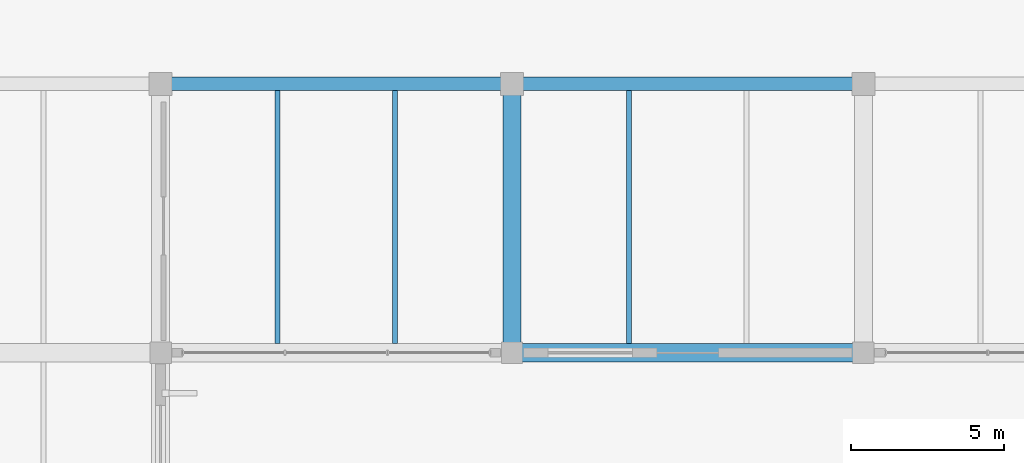
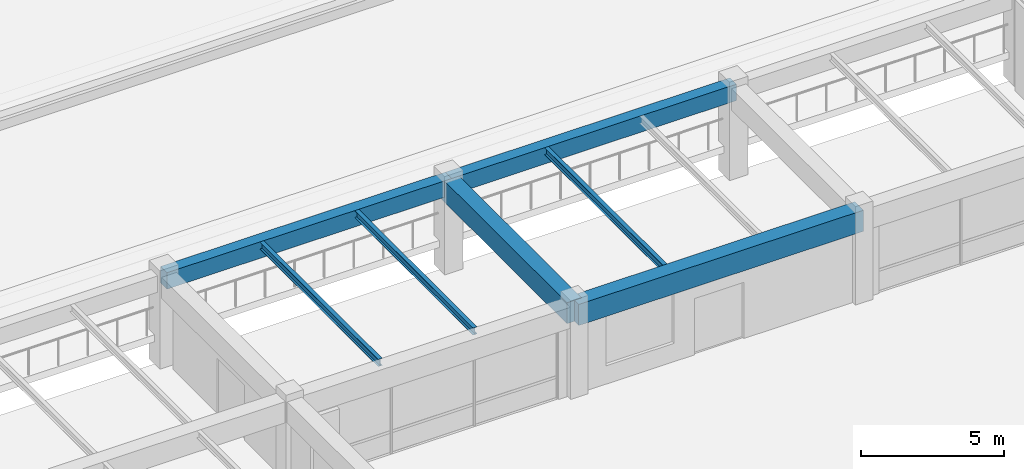
# One storey, part 7 of 109: 7 beams.
"""IFC4 building model written with IfcOpenShell, lengths in metres."""

from ifc_helpers import new_model, si_unit, direction, frame, origin, origin_2d, place, context, subcontext, project, spatial, rectangle, i_section, extrude, material, material_profile, profile_set, type_object, element, save


model = new_model("IFC4")

# Units and contexts
model_context = context("Model", 3, precision=1e-05, world=origin(), true_north=direction((0.0, 1.0)))
body_context = subcontext(model_context, "Body", "Model", "MODEL_VIEW")
ifc_project = project(units=[si_unit("LENGTHUNIT", "METRE"), si_unit("AREAUNIT", "SQUARE_METRE"), si_unit("VOLUMEUNIT", "CUBIC_METRE"), si_unit("PLANEANGLEUNIT", "RADIAN"), si_unit("MASSUNIT", "GRAM", prefix="KILO")], contexts=[model_context])

# Site, building, storey
site_placement = place(None, origin())
site = spatial("IfcSite", under=ifc_project, at=site_placement, CompositionType="ELEMENT")
building_placement = place(site_placement, origin())
building = spatial("IfcBuilding", under=site, at=building_placement, Name="Ologun Quay Terminus", CompositionType="ELEMENT")
storey_placement = place(building_placement, origin())
storey = spatial("IfcBuildingStorey", under=building, at=storey_placement, Name="L00", CompositionType="ELEMENT", Elevation=0.0)

# Beams
ifc_material_1 = material(Name="Steel S355", Category="steel")
ifc_material_profile_1 = material_profile(ifc_material_1, i_section(OverallWidth=0.1650390625, OverallDepth=0.303466796875, WebThickness=0.006103515625, FlangeThickness=0.01025390625, at=origin_2d()), Name="UKB 305x165x40")
ifc_profile_set_1 = profile_set([ifc_material_profile_1], Name="Steel S355")
beam_type_1 = type_object("IfcBeamType", Name="Mezzanine Steel Joist UKB305", PredefinedType="JOIST", material=ifc_profile_set_1)
for number, where, z_axis, x_axis, name in (
    (1, (15.333251953125, 27.5, 3.748291015625), (0.0, 1.0, 0.0), (-1.0, 0.0, 0.0), "SJ1 Beam 2/D L00"),
    (2, (19.166748046875, 27.5, 3.748291015625), (0.0, 1.0, 0.0), (-1.0, 0.0, 0.0), "SJ1 Beam 2/D L00"),
    (3, (26.833251953125, 27.5, 3.748291015625), (0.0, 1.0, 0.0), (-1.0, 0.0, 0.0), "SJ1 Beam 3/D L00"),
):
    element("IfcBeam", number, at=place(storey_placement, frame(where, z_axis=z_axis, x_axis=x_axis)), inside=storey, type_object=beam_type_1, Name=name, PredefinedType="JOIST", context=body_context, shape_type="SweptSolid", body=[
        extrude(i_section(OverallWidth=0.1650390625, OverallDepth=0.303466796875, WebThickness=0.006103515625, FlangeThickness=0.01025390625, at=origin_2d()), origin(), (0.0, 0.0, 1.0), 8.27490234375),
    ])
ifc_material_2 = material(Name="Concrete C40/50", Category="concrete")
ifc_material_profile_2 = material_profile(ifc_material_2, rectangle(XDim=0.449951171875, YDim=0.699951171875, at=origin_2d()), Name="RC 450x700")
ifc_profile_set_2 = profile_set([ifc_material_profile_2], Name="Concrete C40/50")
beam_type_2 = type_object("IfcBeamType", Name="Perimeter Spandrel Beam 450x700", PredefinedType="SPANDREL", material=ifc_profile_set_2)
for number, where, z_axis, x_axis, name in (
    (4, (11.5, 36.0, 3.550048828125), (1.0, 0.0, 0.0), (0.0, 1.0, 0.0), "SP1 Beam 2/E L00"),
    (5, (23.0, 36.0, 3.550048828125), (1.0, 0.0, 0.0), (0.0, 1.0, 0.0), "SP1 Beam 3/E L00"),
):
    element("IfcBeam", number, at=place(storey_placement, frame(where, z_axis=z_axis, x_axis=x_axis)), inside=storey, type_object=beam_type_2, Name=name, PredefinedType="SPANDREL", context=body_context, shape_type="SweptSolid", body=[
        extrude(rectangle(XDim=0.449951171875, YDim=0.699951171875, at=origin_2d()), origin(), (0.0, 0.0, 1.0), 11.5),
    ])
ifc_material_3 = material(Name="Concrete C40/50", Category="concrete")
ifc_material_profile_3 = material_profile(ifc_material_3, rectangle(XDim=0.60009765625, YDim=0.89990234375, at=origin_2d()), Name="RC 600x900")
ifc_profile_set_3 = profile_set([ifc_material_profile_3], Name="Concrete C40/50")
beam_type_3 = type_object("IfcBeamType", Name="Station Frame Girder 600x900", PredefinedType="BEAM", material=ifc_profile_set_3)
beam_1_placement = place(storey_placement, frame((23.0, 27.199951171875, 3.449951171875), z_axis=(1.0, 0.0, 0.0), x_axis=(0.0, 1.0, 0.0)))
element("IfcBeam", 6, at=beam_1_placement, inside=storey, type_object=beam_type_3, Name="B3 Beam 3/D L00", PredefinedType="BEAM", context=body_context, shape_type="SweptSolid", body=[
    extrude(rectangle(XDim=0.60009765625, YDim=0.89990234375, at=origin_2d()), origin(), (0.0, 0.0, 1.0), 11.5),
])
beam_2_placement = place(storey_placement, frame((23.0, 27.199951171875, 3.449951171875), z_axis=(0.0, 1.0, 0.0), x_axis=(-1.0, 0.0, 0.0)))
element("IfcBeam", 7, at=beam_2_placement, inside=storey, type_object=beam_type_3, Name="B3 Beam 3/D L00", PredefinedType="BEAM", context=body_context, shape_type="SweptSolid", body=[
    extrude(rectangle(XDim=0.60009765625, YDim=0.89990234375, at=origin_2d()), origin(), (0.0, 0.0, 1.0), 8.800048828125),
])

save(model, "model.ifc")
